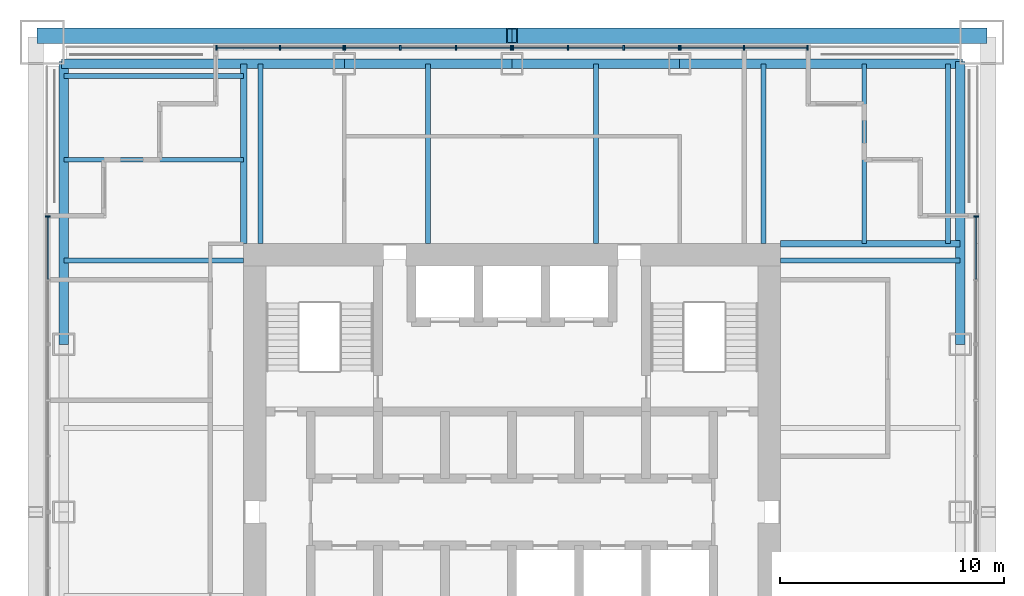
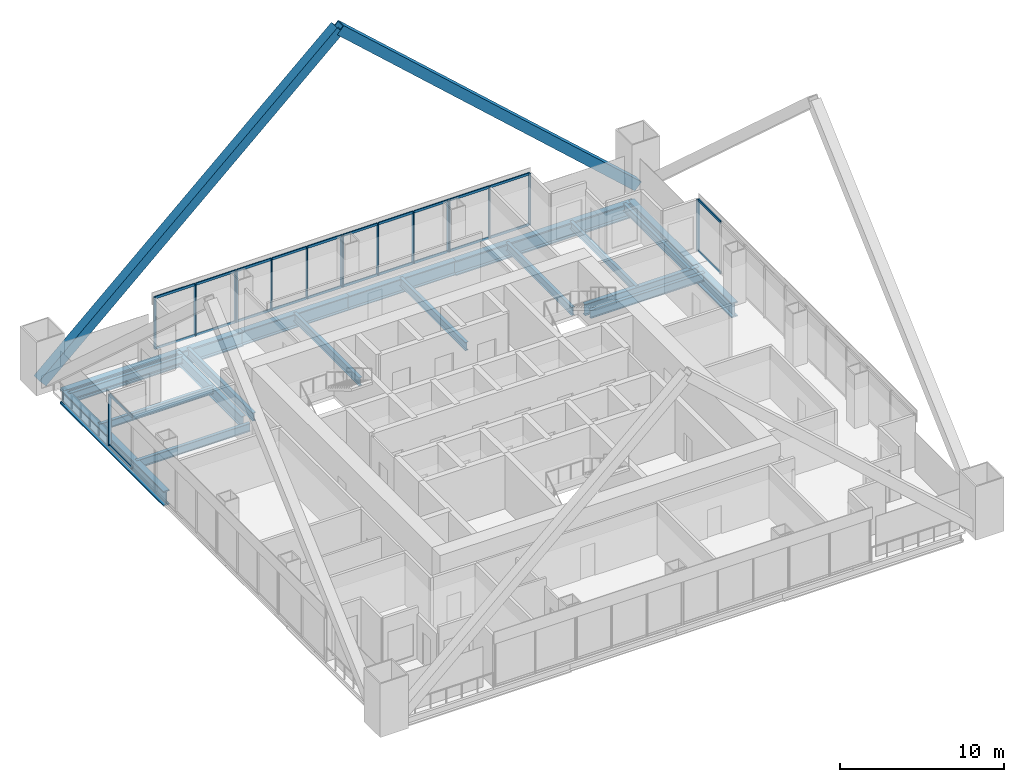
# One storey, part 6 of 13: 42 members, 18 beams, 6 elements without a shape of their own.
"""IFC4 building model written with IfcOpenShell, lengths in metres."""

from ifc_helpers import new_model, si_unit, direction, frame, origin, origin_2d, place, context, subcontext, project, spatial, rectangle, hollow_rectangle, i_section, extrude, material, material_profile, profile_set, type_object, element, aggregate, save


model = new_model("IFC4")

# Units and contexts
model_context = context("Model", 3, precision=1e-05, world=origin(), true_north=direction((0.0, 1.0)))
body_context = subcontext(model_context, "Body", "Model", "MODEL_VIEW")
ifc_project = project(units=[si_unit("LENGTHUNIT", "METRE"), si_unit("AREAUNIT", "SQUARE_METRE"), si_unit("VOLUMEUNIT", "CUBIC_METRE"), si_unit("PLANEANGLEUNIT", "RADIAN"), si_unit("MASSUNIT", "GRAM", prefix="KILO")], contexts=[model_context])

# Site, building, storey
site_placement = place(None, origin())
site = spatial("IfcSite", under=ifc_project, at=site_placement, CompositionType="ELEMENT")
building_placement = place(site_placement, origin())
building = spatial("IfcBuilding", under=site, at=building_placement, Name="Tarangal Relay Tower", CompositionType="ELEMENT")
storey_placement = place(building_placement, frame((0.0, 0.0, 259.89990234375)))
storey = spatial("IfcBuildingStorey", under=building, at=storey_placement, Name="L56", CompositionType="ELEMENT", Elevation=259.89990234375)

# Beams
ifc_material_1 = material(Name="Steel ASTM A992", Category="steel")
ifc_material_profile_1 = material_profile(ifc_material_1, i_section(OverallWidth=0.21240234375, OverallDepth=0.543701171875, WebThickness=0.01318359375, FlangeThickness=0.021240234375, at=origin_2d()), Name="W21X83")
ifc_profile_set_1 = profile_set([ifc_material_profile_1], Name="Steel ASTM A992")
beam_type_1 = type_object("IfcBeamType", Name="Corner beam W21X83", PredefinedType="JOIST", material=ifc_profile_set_1)
for number, where, z_axis, x_axis, name in (
    (1, (15.75, 12.0, -0.421630859375), (0.0, 1.0, 0.0), (-1.0, 0.0, 0.0), "Corner beam CB15 N L56"),
    (2, (19.5, 12.0, -0.421630859375), (0.0, 1.0, 0.0), (-1.0, 0.0, 0.0), "Corner beam CB15 N L56"),
    (3, (-12.0, 15.75, -0.421630859375), (-1.0, 0.0, 0.0), (0.0, -1.0, 0.0), "Corner beam CB15 W L56"),
    (4, (-12.0, 19.5, -0.421630859375), (-1.0, 0.0, 0.0), (0.0, -1.0, 0.0), "Corner beam CB15 W L56"),
):
    element("IfcBeam", number, at=place(storey_placement, frame(where, z_axis=z_axis, x_axis=x_axis)), inside=storey, type_object=beam_type_1, Name=name, PredefinedType="JOIST", context=body_context, shape_type="SweptSolid", body=[
        extrude(i_section(OverallWidth=0.21240234375, OverallDepth=0.543701171875, WebThickness=0.01318359375, FlangeThickness=0.021240234375, at=origin_2d()), origin(), (0.0, 0.0, 1.0), 8.0400390625),
    ])
ifc_material_profile_2 = material_profile(ifc_material_1, i_section(OverallWidth=0.2919921875, OverallDepth=0.8408203125, WebThickness=0.0146484375, FlangeThickness=0.021728515625, at=origin_2d()), Name="W33X130")
ifc_profile_set_2 = profile_set([ifc_material_profile_2], Name="Steel ASTM A992")
beam_type_2 = type_object("IfcBeamType", Name="Corner girder W33X130", PredefinedType="BEAM", material=ifc_profile_set_2)
for number, where, z_axis, x_axis, name in (
    (5, (12.0, 12.0, -0.5703125), (1.0, 0.0, 0.0), (0.0, 1.0, 0.0), "Corner girder CG5 N L56"),
    (6, (-12.0, 12.0, -0.5703125), (0.0, 1.0, 0.0), (-1.0, 0.0, 0.0), "Corner girder CG5 W L56"),
):
    element("IfcBeam", number, at=place(storey_placement, frame(where, z_axis=z_axis, x_axis=x_axis)), inside=storey, type_object=beam_type_2, Name=name, PredefinedType="BEAM", context=body_context, shape_type="SweptSolid", body=[
        extrude(i_section(OverallWidth=0.2919921875, OverallDepth=0.8408203125, WebThickness=0.0146484375, FlangeThickness=0.021728515625, at=origin_2d()), origin(), (0.0, 0.0, 1.0), 8.0400390625),
    ])
ifc_material_profile_3 = material_profile(ifc_material_1, i_section(OverallWidth=0.41162109375, OverallDepth=1.049072265625, WebThickness=0.033935546875, FlangeThickness=0.059814453125, at=origin_2d()), Name="W40X431")
ifc_profile_set_3 = profile_set([ifc_material_profile_3], Name="Steel ASTM A992")
beam_type_3 = type_object("IfcBeamType", Name="Edge girder W40X431", PredefinedType="SPANDREL", material=ifc_profile_set_3)
for number, where, z_axis, x_axis, name in (
    (7, (-7.5, 20.0400390625, -0.67431640625), (1.0, 0.0, 0.0), (0.0, 1.0, 0.0), "Edge girder EG1 N L56"),
    (8, (0.0, 20.0400390625, -0.67431640625), (1.0, 0.0, 0.0), (0.0, 1.0, 0.0), "Edge girder EG1 N L56"),
):
    element("IfcBeam", number, at=place(storey_placement, frame(where, z_axis=z_axis, x_axis=x_axis)), inside=storey, type_object=beam_type_3, Name=name, PredefinedType="SPANDREL", context=body_context, shape_type="SweptSolid", body=[
        extrude(i_section(OverallWidth=0.41162109375, OverallDepth=1.049072265625, WebThickness=0.033935546875, FlangeThickness=0.059814453125, at=origin_2d()), origin(), (0.0, 0.0, 1.0), 7.5),
    ])
ifc_material_profile_4 = material_profile(ifc_material_1, i_section(OverallWidth=0.42919921875, OverallDepth=1.107421875, WebThickness=0.050048828125, FlangeThickness=0.08984375, at=origin_2d()), Name="W40X655")
ifc_profile_set_4 = profile_set([ifc_material_profile_4], Name="Steel ASTM A992")
beam_type_4 = type_object("IfcBeamType", Name="Edge girder W40X655", PredefinedType="SPANDREL", material=ifc_profile_set_4)
for number, where, z_axis, x_axis, name in (
    (9, (-20.14990234375, 20.0400390625, -0.70361328125), (1.0, 0.0, 0.0), (0.0, 1.0, 0.0), "Edge girder EG10 N L56"),
    (10, (7.5, 20.0400390625, -0.70361328125), (1.0, 0.0, 0.0), (0.0, 1.0, 0.0), "Edge girder EG10 N L56"),
    (11, (20.0400390625, 20.14990234375, -0.70361328125), (0.0, -1.0, 0.0), (1.0, 0.0, 0.0), "Edge girder EG10 E L56"),
    (12, (-20.0400390625, 7.5, -0.70361328125), (0.0, 1.0, 0.0), (-1.0, 0.0, 0.0), "Edge girder EG10 W L56"),
):
    element("IfcBeam", number, at=place(storey_placement, frame(where, z_axis=z_axis, x_axis=x_axis)), inside=storey, type_object=beam_type_4, Name=name, PredefinedType="SPANDREL", context=body_context, shape_type="SweptSolid", body=[
        extrude(i_section(OverallWidth=0.42919921875, OverallDepth=1.107421875, WebThickness=0.050048828125, FlangeThickness=0.08984375, at=origin_2d()), origin(), (0.0, 0.0, 1.0), 12.64990234375),
    ])
ifc_material_profile_5 = material_profile(ifc_material_1, i_section(OverallWidth=0.228271484375, OverallDepth=0.607177734375, WebThickness=0.01123046875, FlangeThickness=0.017333984375, at=origin_2d()), Name="W24X76")
ifc_profile_set_5 = profile_set([ifc_material_profile_5], Name="Steel ASTM A992")
beam_type_5 = type_object("IfcBeamType", Name="Floor beam W24X76", PredefinedType="BEAM", material=ifc_profile_set_5)
for number, where, z_axis, x_axis, name in (
    (13, (-11.25, 12.0, -0.453369140625), (0.0, 1.0, 0.0), (-1.0, 0.0, 0.0), "Floor beam RB5 N L56"),
    (14, (-3.75, 12.0, -0.453369140625), (0.0, 1.0, 0.0), (-1.0, 0.0, 0.0), "Floor beam RB5 N L56"),
    (15, (3.75, 12.0, -0.453369140625), (0.0, 1.0, 0.0), (-1.0, 0.0, 0.0), "Floor beam RB5 N L56"),
    (16, (11.25, 12.0, -0.453369140625), (0.0, 1.0, 0.0), (-1.0, 0.0, 0.0), "Floor beam RB5 N L56"),
    (17, (12.0, 11.25, -0.453369140625), (1.0, 0.0, 0.0), (0.0, 1.0, 0.0), "Floor beam RB5 E L56"),
    (18, (-12.0, 11.25, -0.453369140625), (-1.0, 0.0, 0.0), (0.0, -1.0, 0.0), "Floor beam RB5 W L56"),
):
    element("IfcBeam", number, at=place(storey_placement, frame(where, z_axis=z_axis, x_axis=x_axis)), inside=storey, type_object=beam_type_5, Name=name, PredefinedType="BEAM", context=body_context, shape_type="SweptSolid", body=[
        extrude(i_section(OverallWidth=0.228271484375, OverallDepth=0.607177734375, WebThickness=0.01123046875, FlangeThickness=0.017333984375, at=origin_2d()), origin(), (0.0, 0.0, 1.0), 8.0400390625),
    ])

# Members
ifc_material_2 = material(Name="Steel ASTM A572 Grade 50", Category="steel")
ifc_material_profile_6 = material_profile(ifc_material_2, hollow_rectangle(XDim=0.699951171875, YDim=0.699951171875, WallThickness=0.052001953125, at=origin_2d()), Name="BOX700X700X52")
ifc_profile_set_6 = profile_set([ifc_material_profile_6], Name="Steel ASTM A572 Grade 50")
member_type_1 = type_object("IfcMemberType", Name="Mega brace BOX700X700X52", PredefinedType="BRACE", material=ifc_profile_set_6)
for number, where, z_axis, x_axis, name in (
    (19, (-21.0, 21.300048828125, 0.0), (0.741535779124, 0.0, 0.670913323969), (0.0, 1.0, 0.0), "Mega brace MB4 N face module 1"),
    (20, (21.0, 21.300048828125, 0.0), (-0.741535779124, 0.0, 0.670913323969), (0.0, -1.0, 0.0), "Mega brace MB4 N face module 1"),
):
    element("IfcMember", number, at=place(storey_placement, frame(where, z_axis=z_axis, x_axis=x_axis)), inside=storey, type_object=member_type_1, Name=name, PredefinedType="BRACE", context=body_context, shape_type="SweptSolid", body=[
        extrude(hollow_rectangle(XDim=0.699951171875, YDim=0.699951171875, WallThickness=0.052001953125, at=origin_2d()), origin(), (0.0, 0.0, 1.0), 28.319580078125),
    ])

# Curtain wall, members
ifc_material_3 = material(Name="Unitised curtain wall, dark glass and black aluminium", Category="aluminium")
curtain_wall_type = type_object("IfcCurtainWallType", Name="Curtain wall CW-S", PredefinedType="USERDEFINED", material=ifc_material_3)
curtain_wall_1_placement = place(storey_placement, origin())
curtain_wall_1 = element("IfcCurtainWall", 21, at=curtain_wall_1_placement, inside=storey, type_object=curtain_wall_type, Name="Curtain wall CW-S N facade L56", ObjectType="UNITISED CURTAIN WALL", PredefinedType="USERDEFINED")
ifc_material_4 = material(Name="Black anodised aluminium mullion", Category="aluminium")
ifc_material_profile_7 = material_profile(ifc_material_4, rectangle(XDim=0.219970703125, YDim=0.074951171875, at=origin_2d()), Name="CW-SM 75X220")
ifc_profile_set_7 = profile_set([ifc_material_profile_7], Name="Black anodised aluminium mullion")
member_type_2 = type_object("IfcMemberType", Name="Mullion CW-S 75 x 220", PredefinedType="MULLION", material=ifc_profile_set_7)
member_1_placement = place(storey_placement, frame((-13.21240234375, 20.75, 0.0), z_axis=(0.0, 0.0, 1.0), x_axis=(0.0, 1.0, 0.0)))
member_1 = element("IfcMember", 22, at=member_1_placement, type_object=member_type_2, Name="CW-S mullion 1", PredefinedType="MULLION", context=body_context, shape_type="SweptSolid", body=[
    extrude(rectangle(XDim=0.219970703125, YDim=0.074951171875, at=origin_2d()), origin(), (0.0, 0.0, 1.0), 3.85009765625),
])
member_2_placement = place(storey_placement, frame((-10.375, 20.75, 0.0), z_axis=(0.0, 0.0, 1.0), x_axis=(0.0, 1.0, 0.0)))
member_2 = element("IfcMember", 23, at=member_2_placement, type_object=member_type_2, Name="CW-S mullion 2", PredefinedType="MULLION", context=body_context, shape_type="SweptSolid", body=[
    extrude(rectangle(XDim=0.219970703125, YDim=0.074951171875, at=origin_2d()), origin(), (0.0, 0.0, 1.0), 3.85009765625),
])
member_3_placement = place(storey_placement, frame((-7.53759765625, 20.75, 0.0), z_axis=(0.0, 0.0, 1.0), x_axis=(0.0, 1.0, 0.0)))
member_3 = element("IfcMember", 24, at=member_3_placement, type_object=member_type_2, Name="CW-S mullion 3", PredefinedType="MULLION", context=body_context, shape_type="SweptSolid", body=[
    extrude(rectangle(XDim=0.219970703125, YDim=0.074951171875, at=origin_2d()), origin(), (0.0, 0.0, 1.0), 3.85009765625),
])

curtain_wall_2_placement = place(storey_placement, origin())
curtain_wall_2 = element("IfcCurtainWall", 25, at=curtain_wall_2_placement, inside=storey, type_object=curtain_wall_type, Name="Curtain wall CW-S N facade L56", ObjectType="UNITISED CURTAIN WALL", PredefinedType="USERDEFINED")
member_4_placement = place(storey_placement, frame((-7.46240234375, 20.75, 0.0), z_axis=(0.0, 0.0, 1.0), x_axis=(0.0, 1.0, 0.0)))
member_4 = element("IfcMember", 26, at=member_4_placement, type_object=member_type_2, Name="CW-S mullion 1", PredefinedType="MULLION", context=body_context, shape_type="SweptSolid", body=[
    extrude(rectangle(XDim=0.219970703125, YDim=0.074951171875, at=origin_2d()), origin(), (0.0, 0.0, 1.0), 3.85009765625),
])
member_5_placement = place(storey_placement, frame((-5.0, 20.75, 0.0), z_axis=(0.0, 0.0, 1.0), x_axis=(0.0, 1.0, 0.0)))
member_5 = element("IfcMember", 27, at=member_5_placement, type_object=member_type_2, Name="CW-S mullion 2", PredefinedType="MULLION", context=body_context, shape_type="SweptSolid", body=[
    extrude(rectangle(XDim=0.219970703125, YDim=0.074951171875, at=origin_2d()), origin(), (0.0, 0.0, 1.0), 3.85009765625),
])
member_6_placement = place(storey_placement, frame((-2.5, 20.75, 0.0), z_axis=(0.0, 0.0, 1.0), x_axis=(0.0, 1.0, 0.0)))
member_6 = element("IfcMember", 28, at=member_6_placement, type_object=member_type_2, Name="CW-S mullion 3", PredefinedType="MULLION", context=body_context, shape_type="SweptSolid", body=[
    extrude(rectangle(XDim=0.219970703125, YDim=0.074951171875, at=origin_2d()), origin(), (0.0, 0.0, 1.0), 3.85009765625),
])
member_7_placement = place(storey_placement, frame((-0.03759765625, 20.75, 0.0), z_axis=(0.0, 0.0, 1.0), x_axis=(0.0, 1.0, 0.0)))
member_7 = element("IfcMember", 29, at=member_7_placement, type_object=member_type_2, Name="CW-S mullion 4", PredefinedType="MULLION", context=body_context, shape_type="SweptSolid", body=[
    extrude(rectangle(XDim=0.219970703125, YDim=0.074951171875, at=origin_2d()), origin(), (0.0, 0.0, 1.0), 3.85009765625),
])

curtain_wall_3_placement = place(storey_placement, origin())
curtain_wall_3 = element("IfcCurtainWall", 30, at=curtain_wall_3_placement, inside=storey, type_object=curtain_wall_type, Name="Curtain wall CW-S N facade L56", ObjectType="UNITISED CURTAIN WALL", PredefinedType="USERDEFINED")
member_8_placement = place(storey_placement, frame((0.03759765625, 20.75, 0.0), z_axis=(0.0, 0.0, 1.0), x_axis=(0.0, 1.0, 0.0)))
member_8 = element("IfcMember", 31, at=member_8_placement, type_object=member_type_2, Name="CW-S mullion 1", PredefinedType="MULLION", context=body_context, shape_type="SweptSolid", body=[
    extrude(rectangle(XDim=0.219970703125, YDim=0.074951171875, at=origin_2d()), origin(), (0.0, 0.0, 1.0), 3.85009765625),
])
member_9_placement = place(storey_placement, frame((2.5, 20.75, 0.0), z_axis=(0.0, 0.0, 1.0), x_axis=(0.0, 1.0, 0.0)))
member_9 = element("IfcMember", 32, at=member_9_placement, type_object=member_type_2, Name="CW-S mullion 2", PredefinedType="MULLION", context=body_context, shape_type="SweptSolid", body=[
    extrude(rectangle(XDim=0.219970703125, YDim=0.074951171875, at=origin_2d()), origin(), (0.0, 0.0, 1.0), 3.85009765625),
])
member_10_placement = place(storey_placement, frame((5.0, 20.75, 0.0), z_axis=(0.0, 0.0, 1.0), x_axis=(0.0, 1.0, 0.0)))
member_10 = element("IfcMember", 33, at=member_10_placement, type_object=member_type_2, Name="CW-S mullion 3", PredefinedType="MULLION", context=body_context, shape_type="SweptSolid", body=[
    extrude(rectangle(XDim=0.219970703125, YDim=0.074951171875, at=origin_2d()), origin(), (0.0, 0.0, 1.0), 3.85009765625),
])
member_11_placement = place(storey_placement, frame((7.46240234375, 20.75, 0.0), z_axis=(0.0, 0.0, 1.0), x_axis=(0.0, 1.0, 0.0)))
member_11 = element("IfcMember", 34, at=member_11_placement, type_object=member_type_2, Name="CW-S mullion 4", PredefinedType="MULLION", context=body_context, shape_type="SweptSolid", body=[
    extrude(rectangle(XDim=0.219970703125, YDim=0.074951171875, at=origin_2d()), origin(), (0.0, 0.0, 1.0), 3.85009765625),
])

curtain_wall_4_placement = place(storey_placement, origin())
curtain_wall_4 = element("IfcCurtainWall", 35, at=curtain_wall_4_placement, inside=storey, type_object=curtain_wall_type, Name="Curtain wall CW-S N facade L56", ObjectType="UNITISED CURTAIN WALL", PredefinedType="USERDEFINED")
member_12_placement = place(storey_placement, frame((7.53759765625, 20.75, 0.0), z_axis=(0.0, 0.0, 1.0), x_axis=(0.0, 1.0, 0.0)))
member_12 = element("IfcMember", 36, at=member_12_placement, type_object=member_type_2, Name="CW-S mullion 1", PredefinedType="MULLION", context=body_context, shape_type="SweptSolid", body=[
    extrude(rectangle(XDim=0.219970703125, YDim=0.074951171875, at=origin_2d()), origin(), (0.0, 0.0, 1.0), 3.85009765625),
])
member_13_placement = place(storey_placement, frame((10.375, 20.75, 0.0), z_axis=(0.0, 0.0, 1.0), x_axis=(0.0, 1.0, 0.0)))
member_13 = element("IfcMember", 37, at=member_13_placement, type_object=member_type_2, Name="CW-S mullion 2", PredefinedType="MULLION", context=body_context, shape_type="SweptSolid", body=[
    extrude(rectangle(XDim=0.219970703125, YDim=0.074951171875, at=origin_2d()), origin(), (0.0, 0.0, 1.0), 3.85009765625),
])
member_14_placement = place(storey_placement, frame((13.21240234375, 20.75, 0.0), z_axis=(0.0, 0.0, 1.0), x_axis=(0.0, 1.0, 0.0)))
member_14 = element("IfcMember", 38, at=member_14_placement, type_object=member_type_2, Name="CW-S mullion 3", PredefinedType="MULLION", context=body_context, shape_type="SweptSolid", body=[
    extrude(rectangle(XDim=0.219970703125, YDim=0.074951171875, at=origin_2d()), origin(), (0.0, 0.0, 1.0), 3.85009765625),
])

# Curtain wall, member
curtain_wall_5_placement = place(storey_placement, origin())
curtain_wall_5 = element("IfcCurtainWall", 39, at=curtain_wall_5_placement, inside=storey, type_object=curtain_wall_type, Name="Curtain wall CW-S E facade L56", ObjectType="UNITISED CURTAIN WALL", PredefinedType="USERDEFINED")
member_15_placement = place(storey_placement, frame((20.75, 13.21240234375, 0.0), z_axis=(0.0, 0.0, 1.0), x_axis=(1.0, 0.0, 0.0)))
member_15 = element("IfcMember", 40, at=member_15_placement, type_object=member_type_2, Name="CW-S mullion 1", PredefinedType="MULLION", context=body_context, shape_type="SweptSolid", body=[
    extrude(rectangle(XDim=0.219970703125, YDim=0.074951171875, at=origin_2d()), origin(), (0.0, 0.0, 1.0), 3.85009765625),
])

curtain_wall_6_placement = place(storey_placement, origin())
curtain_wall_6 = element("IfcCurtainWall", 41, at=curtain_wall_6_placement, inside=storey, type_object=curtain_wall_type, Name="Curtain wall CW-S W facade L56", ObjectType="UNITISED CURTAIN WALL", PredefinedType="USERDEFINED")
member_16_placement = place(storey_placement, frame((-20.75, 13.21240234375, 0.0), z_axis=(0.0, 0.0, 1.0), x_axis=(-1.0, 0.0, 0.0)))
member_16 = element("IfcMember", 42, at=member_16_placement, type_object=member_type_2, Name="CW-S mullion 3", PredefinedType="MULLION", context=body_context, shape_type="SweptSolid", body=[
    extrude(rectangle(XDim=0.219970703125, YDim=0.074951171875, at=origin_2d()), origin(), (0.0, 0.0, 1.0), 3.85009765625),
])

# Member
ifc_material_5 = material(Name="Black anodised aluminium transom", Category="aluminium")
ifc_material_profile_8 = material_profile(ifc_material_5, rectangle(XDim=0.074951171875, YDim=0.179931640625, at=origin_2d()), Name="CW-ST 75X180")
ifc_profile_set_8 = profile_set([ifc_material_profile_8], Name="Black anodised aluminium transom")
member_type_3 = type_object("IfcMemberType", Name="Transom CW-S 75 x 180", PredefinedType="USERDEFINED", material=ifc_profile_set_8)
member_17_placement = place(storey_placement, frame((-13.175048828125, 20.75, 0.03759765625), z_axis=(1.0, 0.0, 0.0), x_axis=(0.0, 1.0, 0.0)))
member_17 = element("IfcMember", 43, at=member_17_placement, type_object=member_type_3, Name="CW-S transom 1.1", ObjectType="TRANSOM", PredefinedType="USERDEFINED", context=body_context, shape_type="SweptSolid", body=[
    extrude(rectangle(XDim=0.074951171875, YDim=0.179931640625, at=origin_2d()), origin(), (0.0, 0.0, 1.0), 2.762451171875),
])

member_18_placement = place(storey_placement, frame((-13.175048828125, 20.75, 3.8125), z_axis=(1.0, 0.0, 0.0), x_axis=(0.0, 1.0, 0.0)))
member_18 = element("IfcMember", 44, at=member_18_placement, type_object=member_type_3, Name="CW-S transom 1.2", ObjectType="TRANSOM", PredefinedType="USERDEFINED", context=body_context, shape_type="SweptSolid", body=[
    extrude(rectangle(XDim=0.074951171875, YDim=0.179931640625, at=origin_2d()), origin(), (0.0, 0.0, 1.0), 2.762451171875),
])

member_19_placement = place(storey_placement, frame((-10.33740234375, 20.75, 0.03759765625), z_axis=(1.0, 0.0, 0.0), x_axis=(0.0, 1.0, 0.0)))
member_19 = element("IfcMember", 45, at=member_19_placement, type_object=member_type_3, Name="CW-S transom 2.1", ObjectType="TRANSOM", PredefinedType="USERDEFINED", context=body_context, shape_type="SweptSolid", body=[
    extrude(rectangle(XDim=0.074951171875, YDim=0.179931640625, at=origin_2d()), origin(), (0.0, 0.0, 1.0), 2.762451171875),
])

member_20_placement = place(storey_placement, frame((-10.33740234375, 20.75, 3.8125), z_axis=(1.0, 0.0, 0.0), x_axis=(0.0, 1.0, 0.0)))
member_20 = element("IfcMember", 46, at=member_20_placement, type_object=member_type_3, Name="CW-S transom 2.2", ObjectType="TRANSOM", PredefinedType="USERDEFINED", context=body_context, shape_type="SweptSolid", body=[
    extrude(rectangle(XDim=0.074951171875, YDim=0.179931640625, at=origin_2d()), origin(), (0.0, 0.0, 1.0), 2.762451171875),
])

aggregate(curtain_wall_1, [member_1, member_2, member_3, member_17, member_18, member_19, member_20])

member_21_placement = place(storey_placement, frame((-7.425048828125, 20.75, 0.03759765625), z_axis=(1.0, 0.0, 0.0), x_axis=(0.0, 1.0, 0.0)))
member_21 = element("IfcMember", 47, at=member_21_placement, type_object=member_type_3, Name="CW-S transom 1.1", ObjectType="TRANSOM", PredefinedType="USERDEFINED", context=body_context, shape_type="SweptSolid", body=[
    extrude(rectangle(XDim=0.074951171875, YDim=0.179931640625, at=origin_2d()), origin(), (0.0, 0.0, 1.0), 2.387451171875),
])

member_22_placement = place(storey_placement, frame((-7.425048828125, 20.75, 3.8125), z_axis=(1.0, 0.0, 0.0), x_axis=(0.0, 1.0, 0.0)))
member_22 = element("IfcMember", 48, at=member_22_placement, type_object=member_type_3, Name="CW-S transom 1.2", ObjectType="TRANSOM", PredefinedType="USERDEFINED", context=body_context, shape_type="SweptSolid", body=[
    extrude(rectangle(XDim=0.074951171875, YDim=0.179931640625, at=origin_2d()), origin(), (0.0, 0.0, 1.0), 2.387451171875),
])

member_23_placement = place(storey_placement, frame((-4.96240234375, 20.75, 0.03759765625), z_axis=(1.0, 0.0, 0.0), x_axis=(0.0, 1.0, 0.0)))
member_23 = element("IfcMember", 49, at=member_23_placement, type_object=member_type_3, Name="CW-S transom 2.1", ObjectType="TRANSOM", PredefinedType="USERDEFINED", context=body_context, shape_type="SweptSolid", body=[
    extrude(rectangle(XDim=0.074951171875, YDim=0.179931640625, at=origin_2d()), origin(), (0.0, 0.0, 1.0), 2.4248046875),
])

member_24_placement = place(storey_placement, frame((-4.96240234375, 20.75, 3.8125), z_axis=(1.0, 0.0, 0.0), x_axis=(0.0, 1.0, 0.0)))
member_24 = element("IfcMember", 50, at=member_24_placement, type_object=member_type_3, Name="CW-S transom 2.2", ObjectType="TRANSOM", PredefinedType="USERDEFINED", context=body_context, shape_type="SweptSolid", body=[
    extrude(rectangle(XDim=0.074951171875, YDim=0.179931640625, at=origin_2d()), origin(), (0.0, 0.0, 1.0), 2.4248046875),
])

member_25_placement = place(storey_placement, frame((-2.46240234375, 20.75, 0.03759765625), z_axis=(1.0, 0.0, 0.0), x_axis=(0.0, 1.0, 0.0)))
member_25 = element("IfcMember", 51, at=member_25_placement, type_object=member_type_3, Name="CW-S transom 3.1", ObjectType="TRANSOM", PredefinedType="USERDEFINED", context=body_context, shape_type="SweptSolid", body=[
    extrude(rectangle(XDim=0.074951171875, YDim=0.179931640625, at=origin_2d()), origin(), (0.0, 0.0, 1.0), 2.387451171875),
])

member_26_placement = place(storey_placement, frame((-2.46240234375, 20.75, 3.8125), z_axis=(1.0, 0.0, 0.0), x_axis=(0.0, 1.0, 0.0)))
member_26 = element("IfcMember", 52, at=member_26_placement, type_object=member_type_3, Name="CW-S transom 3.2", ObjectType="TRANSOM", PredefinedType="USERDEFINED", context=body_context, shape_type="SweptSolid", body=[
    extrude(rectangle(XDim=0.074951171875, YDim=0.179931640625, at=origin_2d()), origin(), (0.0, 0.0, 1.0), 2.387451171875),
])

aggregate(curtain_wall_2, [member_4, member_5, member_6, member_7, member_21, member_22, member_23, member_24, member_25, member_26])

member_27_placement = place(storey_placement, frame((0.074951171875, 20.75, 0.03759765625), z_axis=(1.0, 0.0, 0.0), x_axis=(0.0, 1.0, 0.0)))
member_27 = element("IfcMember", 53, at=member_27_placement, type_object=member_type_3, Name="CW-S transom 1.1", ObjectType="TRANSOM", PredefinedType="USERDEFINED", context=body_context, shape_type="SweptSolid", body=[
    extrude(rectangle(XDim=0.074951171875, YDim=0.179931640625, at=origin_2d()), origin(), (0.0, 0.0, 1.0), 2.387451171875),
])

member_28_placement = place(storey_placement, frame((0.074951171875, 20.75, 3.8125), z_axis=(1.0, 0.0, 0.0), x_axis=(0.0, 1.0, 0.0)))
member_28 = element("IfcMember", 54, at=member_28_placement, type_object=member_type_3, Name="CW-S transom 1.2", ObjectType="TRANSOM", PredefinedType="USERDEFINED", context=body_context, shape_type="SweptSolid", body=[
    extrude(rectangle(XDim=0.074951171875, YDim=0.179931640625, at=origin_2d()), origin(), (0.0, 0.0, 1.0), 2.387451171875),
])

member_29_placement = place(storey_placement, frame((2.53759765625, 20.75, 0.03759765625), z_axis=(1.0, 0.0, 0.0), x_axis=(0.0, 1.0, 0.0)))
member_29 = element("IfcMember", 55, at=member_29_placement, type_object=member_type_3, Name="CW-S transom 2.1", ObjectType="TRANSOM", PredefinedType="USERDEFINED", context=body_context, shape_type="SweptSolid", body=[
    extrude(rectangle(XDim=0.074951171875, YDim=0.179931640625, at=origin_2d()), origin(), (0.0, 0.0, 1.0), 2.4248046875),
])

member_30_placement = place(storey_placement, frame((2.53759765625, 20.75, 3.8125), z_axis=(1.0, 0.0, 0.0), x_axis=(0.0, 1.0, 0.0)))
member_30 = element("IfcMember", 56, at=member_30_placement, type_object=member_type_3, Name="CW-S transom 2.2", ObjectType="TRANSOM", PredefinedType="USERDEFINED", context=body_context, shape_type="SweptSolid", body=[
    extrude(rectangle(XDim=0.074951171875, YDim=0.179931640625, at=origin_2d()), origin(), (0.0, 0.0, 1.0), 2.4248046875),
])

member_31_placement = place(storey_placement, frame((5.03759765625, 20.75, 0.03759765625), z_axis=(1.0, 0.0, 0.0), x_axis=(0.0, 1.0, 0.0)))
member_31 = element("IfcMember", 57, at=member_31_placement, type_object=member_type_3, Name="CW-S transom 3.1", ObjectType="TRANSOM", PredefinedType="USERDEFINED", context=body_context, shape_type="SweptSolid", body=[
    extrude(rectangle(XDim=0.074951171875, YDim=0.179931640625, at=origin_2d()), origin(), (0.0, 0.0, 1.0), 2.387451171875),
])

member_32_placement = place(storey_placement, frame((5.03759765625, 20.75, 3.8125), z_axis=(1.0, 0.0, 0.0), x_axis=(0.0, 1.0, 0.0)))
member_32 = element("IfcMember", 58, at=member_32_placement, type_object=member_type_3, Name="CW-S transom 3.2", ObjectType="TRANSOM", PredefinedType="USERDEFINED", context=body_context, shape_type="SweptSolid", body=[
    extrude(rectangle(XDim=0.074951171875, YDim=0.179931640625, at=origin_2d()), origin(), (0.0, 0.0, 1.0), 2.387451171875),
])

aggregate(curtain_wall_3, [member_8, member_9, member_10, member_11, member_27, member_28, member_29, member_30, member_31, member_32])

member_33_placement = place(storey_placement, frame((7.574951171875, 20.75, 0.03759765625), z_axis=(1.0, 0.0, 0.0), x_axis=(0.0, 1.0, 0.0)))
member_33 = element("IfcMember", 59, at=member_33_placement, type_object=member_type_3, Name="CW-S transom 1.1", ObjectType="TRANSOM", PredefinedType="USERDEFINED", context=body_context, shape_type="SweptSolid", body=[
    extrude(rectangle(XDim=0.074951171875, YDim=0.179931640625, at=origin_2d()), origin(), (0.0, 0.0, 1.0), 2.762451171875),
])

member_34_placement = place(storey_placement, frame((7.574951171875, 20.75, 3.8125), z_axis=(1.0, 0.0, 0.0), x_axis=(0.0, 1.0, 0.0)))
member_34 = element("IfcMember", 60, at=member_34_placement, type_object=member_type_3, Name="CW-S transom 1.2", ObjectType="TRANSOM", PredefinedType="USERDEFINED", context=body_context, shape_type="SweptSolid", body=[
    extrude(rectangle(XDim=0.074951171875, YDim=0.179931640625, at=origin_2d()), origin(), (0.0, 0.0, 1.0), 2.762451171875),
])

member_35_placement = place(storey_placement, frame((10.41259765625, 20.75, 0.03759765625), z_axis=(1.0, 0.0, 0.0), x_axis=(0.0, 1.0, 0.0)))
member_35 = element("IfcMember", 61, at=member_35_placement, type_object=member_type_3, Name="CW-S transom 2.1", ObjectType="TRANSOM", PredefinedType="USERDEFINED", context=body_context, shape_type="SweptSolid", body=[
    extrude(rectangle(XDim=0.074951171875, YDim=0.179931640625, at=origin_2d()), origin(), (0.0, 0.0, 1.0), 2.762451171875),
])

member_36_placement = place(storey_placement, frame((10.41259765625, 20.75, 3.8125), z_axis=(1.0, 0.0, 0.0), x_axis=(0.0, 1.0, 0.0)))
member_36 = element("IfcMember", 62, at=member_36_placement, type_object=member_type_3, Name="CW-S transom 2.2", ObjectType="TRANSOM", PredefinedType="USERDEFINED", context=body_context, shape_type="SweptSolid", body=[
    extrude(rectangle(XDim=0.074951171875, YDim=0.179931640625, at=origin_2d()), origin(), (0.0, 0.0, 1.0), 2.762451171875),
])

aggregate(curtain_wall_4, [member_12, member_13, member_14, member_33, member_34, member_35, member_36])

member_37_placement = place(storey_placement, frame((20.75, 13.175048828125, 0.03759765625), z_axis=(0.0, -1.0, 0.0), x_axis=(1.0, 0.0, 0.0)))
member_37 = element("IfcMember", 63, at=member_37_placement, type_object=member_type_3, Name="CW-S transom 1.1", ObjectType="TRANSOM", PredefinedType="USERDEFINED", context=body_context, shape_type="SweptSolid", body=[
    extrude(rectangle(XDim=0.074951171875, YDim=0.179931640625, at=origin_2d()), origin(), (0.0, 0.0, 1.0), 2.762451171875),
])

member_38_placement = place(storey_placement, frame((20.75, 13.175048828125, 3.8125), z_axis=(0.0, -1.0, 0.0), x_axis=(1.0, 0.0, 0.0)))
member_38 = element("IfcMember", 64, at=member_38_placement, type_object=member_type_3, Name="CW-S transom 1.2", ObjectType="TRANSOM", PredefinedType="USERDEFINED", context=body_context, shape_type="SweptSolid", body=[
    extrude(rectangle(XDim=0.074951171875, YDim=0.179931640625, at=origin_2d()), origin(), (0.0, 0.0, 1.0), 2.762451171875),
])

aggregate(curtain_wall_5, [member_15, member_37, member_38])

member_39_placement = place(storey_placement, frame((-20.75, 10.41259765625, 0.03759765625), z_axis=(0.0, 1.0, 0.0), x_axis=(-1.0, 0.0, 0.0)))
member_39 = element("IfcMember", 65, at=member_39_placement, type_object=member_type_3, Name="CW-S transom 2.1", ObjectType="TRANSOM", PredefinedType="USERDEFINED", context=body_context, shape_type="SweptSolid", body=[
    extrude(rectangle(XDim=0.074951171875, YDim=0.179931640625, at=origin_2d()), origin(), (0.0, 0.0, 1.0), 2.762451171875),
])

member_40_placement = place(storey_placement, frame((-20.75, 10.41259765625, 3.8125), z_axis=(0.0, 1.0, 0.0), x_axis=(-1.0, 0.0, 0.0)))
member_40 = element("IfcMember", 66, at=member_40_placement, type_object=member_type_3, Name="CW-S transom 2.2", ObjectType="TRANSOM", PredefinedType="USERDEFINED", context=body_context, shape_type="SweptSolid", body=[
    extrude(rectangle(XDim=0.074951171875, YDim=0.179931640625, at=origin_2d()), origin(), (0.0, 0.0, 1.0), 2.762451171875),
])

aggregate(curtain_wall_6, [member_16, member_39, member_40])

save(model, "model.ifc")
